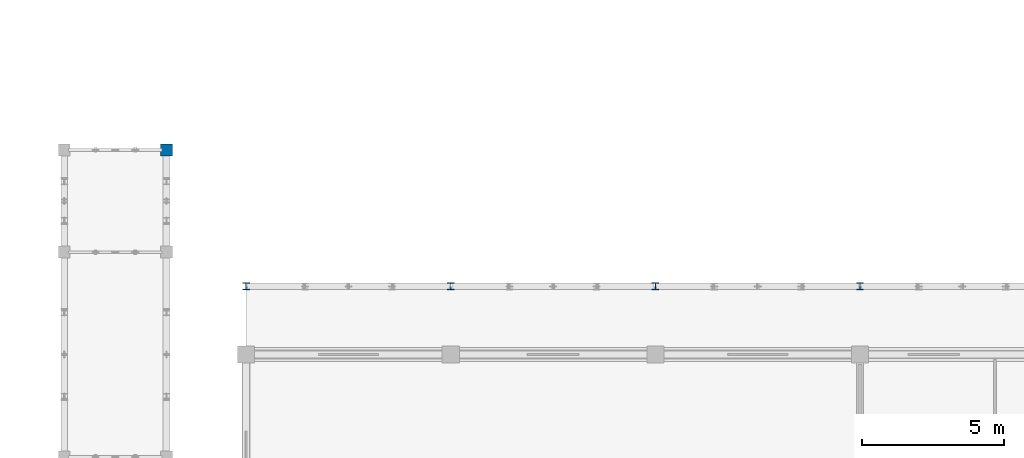
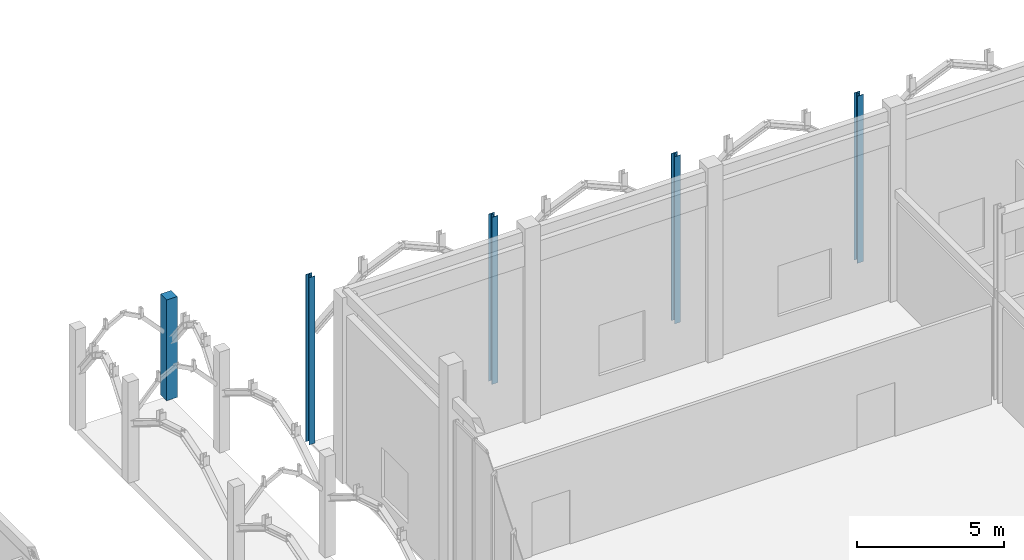
# One storey, part 9 of 138: 5 columns.
"""IFC4 building model written with IfcOpenShell, lengths in metres."""

from ifc_helpers import new_model, si_unit, direction, frame, origin, origin_2d, place, context, subcontext, project, spatial, rectangle, i_section, extrude, material, material_profile, profile_set, type_object, element, save


model = new_model("IFC4")

# Units and contexts
model_context = context("Model", 3, precision=1e-05, world=origin(), true_north=direction((0.0, 1.0)))
body_context = subcontext(model_context, "Body", "Model", "MODEL_VIEW")
ifc_project = project(units=[si_unit("LENGTHUNIT", "METRE"), si_unit("AREAUNIT", "SQUARE_METRE"), si_unit("VOLUMEUNIT", "CUBIC_METRE"), si_unit("PLANEANGLEUNIT", "RADIAN"), si_unit("MASSUNIT", "GRAM", prefix="KILO"), si_unit("THERMODYNAMICTEMPERATUREUNIT", "KELVIN"), si_unit("POWERUNIT", "WATT")], contexts=[model_context])

# Site, building, storey
site_placement = place(None, origin())
site = spatial("IfcSite", under=ifc_project, at=site_placement, CompositionType="ELEMENT")
building_placement = place(site_placement, origin())
building = spatial("IfcBuilding", under=site, at=building_placement, Name="Tavuni Mirador Residences", CompositionType="ELEMENT")
storey_placement = place(building_placement, origin())
storey = spatial("IfcBuildingStorey", under=building, at=storey_placement, Name="L00", CompositionType="ELEMENT", Elevation=0.0)

# Columns
ifc_material_1 = material(Name="Precast concrete C40/50", Category="concrete")
ifc_material_profile_1 = material_profile(ifc_material_1, rectangle(XDim=0.419921875, YDim=0.419921875, at=origin_2d()), Name="CORAL 420x420", Category="concrete")
ifc_profile_set_1 = profile_set([ifc_material_profile_1], Name="Precast concrete C40/50")
column_type_1 = type_object("IfcColumnType", Name="CT-PIL420", PredefinedType="PILASTER", material=ifc_profile_set_1)
column_placement = place(storey_placement, frame((36.800048828125, 108.0, 0.0), z_axis=(0.0, 0.0, 1.0), x_axis=(1.0, 0.0, 0.0)))
element("IfcColumn", 1, at=column_placement, inside=storey, type_object=column_type_1, Name="COL-PAV-COL-L00-01-08", PredefinedType="PILASTER", context=body_context, shape_type="SweptSolid", body=[
    extrude(rectangle(XDim=0.419921875, YDim=0.419921875, at=origin_2d()), origin(), (0.0, 0.0, 1.0), 4.199951171875),
])
ifc_material_2 = material(Name="Structural steel S355", Category="steel")
ifc_material_profile_2 = material_profile(ifc_material_2, i_section(OverallWidth=0.239990234375, OverallDepth=0.239990234375, WebThickness=0.010009765625, FlangeThickness=0.01708984375, FilletRadius=0.02099609375, at=origin_2d()), Name="HEB 240", Category="steel")
ifc_profile_set_2 = profile_set([ifc_material_profile_2], Name="Structural steel S355")
column_type_2 = type_object("IfcColumnType", Name="CT-ST-HEB240", PredefinedType="COLUMN", material=ifc_profile_set_2)
for number, where, z_axis, x_axis, name in (
    (2, (39.60009765625, 103.199951171875, 0.0), (0.0, 0.0, 1.0), (1.0, 0.0, 0.0), "COL-HALL-EAVE-N-00"),
    (3, (46.800048828125, 103.199951171875, 0.0), (0.0, 0.0, 1.0), (1.0, 0.0, 0.0), "COL-HALL-EAVE-N-01"),
    (4, (54.0, 103.199951171875, 0.0), (0.0, 0.0, 1.0), (1.0, 0.0, 0.0), "COL-HALL-EAVE-N-02"),
    (5, (61.199951171875, 103.199951171875, 0.0), (0.0, 0.0, 1.0), (1.0, 0.0, 0.0), "COL-HALL-EAVE-N-03"),
):
    element("IfcColumn", number, at=place(storey_placement, frame(where, z_axis=z_axis, x_axis=x_axis)), inside=storey, type_object=column_type_2, Name=name, PredefinedType="COLUMN", context=body_context, shape_type="SweptSolid", body=[
        extrude(i_section(OverallWidth=0.239990234375, OverallDepth=0.239990234375, WebThickness=0.010009765625, FlangeThickness=0.01708984375, FilletRadius=0.02099609375, at=origin_2d()), origin(), (0.0, 0.0, 1.0), 6.96337890625),
    ])

save(model, "model.ifc")
